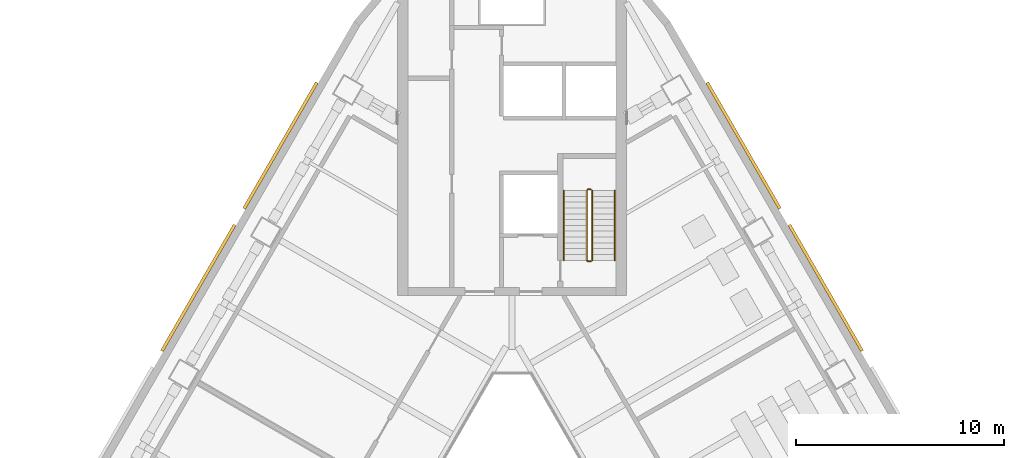
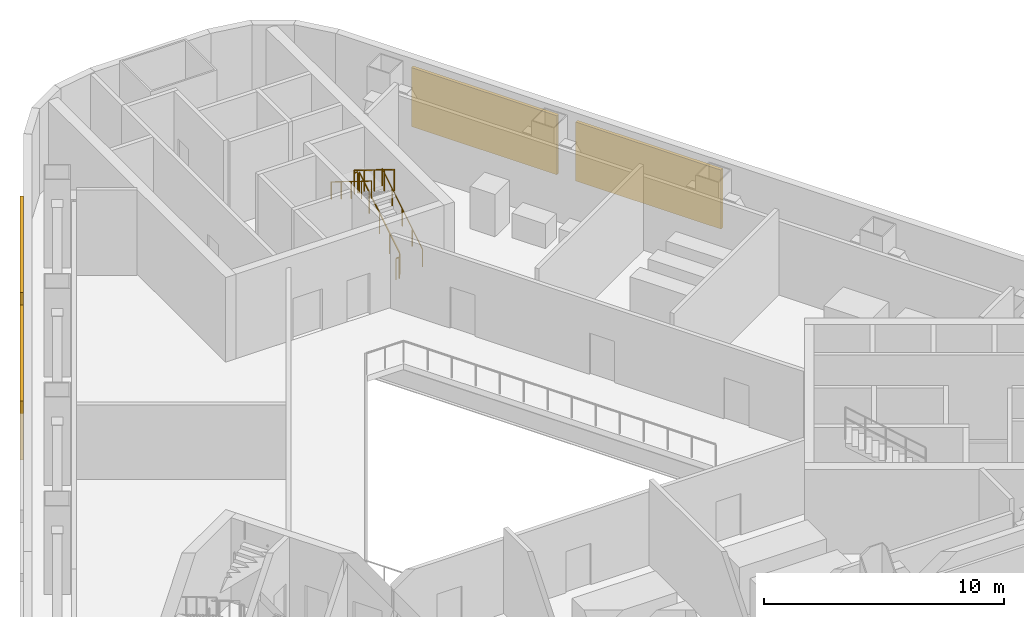
# One storey, part 13 of 14: 6 railings, 4 shading devices.
"""IFC4 building model written with IfcOpenShell, lengths in metres."""

from ifc_helpers import new_model, si_unit, direction, frame, origin, origin_2d, place, context, subcontext, project, spatial, rectangle, circle, extrude, material, type_object, element, save


model = new_model("IFC4")

# Units and contexts
model_context = context("Model", 3, precision=1e-05, world=origin(), true_north=direction((0.0, 1.0)))
body_context = subcontext(model_context, "Body", "Model", "MODEL_VIEW")
ifc_project = project(units=[si_unit("LENGTHUNIT", "METRE"), si_unit("AREAUNIT", "SQUARE_METRE"), si_unit("VOLUMEUNIT", "CUBIC_METRE"), si_unit("PLANEANGLEUNIT", "RADIAN"), si_unit("MASSUNIT", "GRAM", prefix="KILO")], contexts=[model_context])

# Site, building, storey
site_placement = place(None, origin())
site = spatial("IfcSite", under=ifc_project, at=site_placement, CompositionType="ELEMENT")
building_placement = place(site_placement, origin())
building = spatial("IfcBuilding", under=site, at=building_placement, Name="Apuvela Tower Hotel", CompositionType="ELEMENT")
storey_placement = place(building_placement, frame((0.0, 0.0, 42.0)))
storey = spatial("IfcBuildingStorey", under=building, at=storey_placement, Name="L07 Plant", CompositionType="ELEMENT", Elevation=42.0)

# Railings
ifc_material_1 = material(Name="Steel S275 balustrade", Category="steel")
railing_type_1 = type_object("IfcRailingType", Name="COR-GUARD-1100", PredefinedType="GUARDRAIL", material=ifc_material_1)
railing_1_placement = place(storey_placement, frame((3.85009765625, 14.60009765625, 0.173095703125)))
element("IfcRailing", 1, at=railing_1_placement, inside=storey, type_object=railing_type_1, Name="L07 Plant ST1 stair guard 1", PredefinedType="GUARDRAIL", context=body_context, shape_type="SweptSolid", body=[
    extrude(rectangle(XDim=0.048095703125, YDim=0.048095703125, at=origin_2d()), frame((0.0, 0.0, 1.076171875), z_axis=(0.0, 0.850606129759, 0.525803396734), x_axis=(-1.0, 0.0, 0.0)), (0.0, 0.0, 1.0), 3.949951171875),
    extrude(rectangle(XDim=0.0419921875, YDim=0.0419921875, at=origin_2d()), origin(), (0.0, 0.0, 1.0), 1.052001953125),
    extrude(rectangle(XDim=0.0419921875, YDim=0.0419921875, at=origin_2d()), frame((0.0, 0.83984375, 0.519287109375)), (0.0, 0.0, 1.0), 1.052001953125),
    extrude(rectangle(XDim=0.0419921875, YDim=0.0419921875, at=origin_2d()), frame((0.0, 1.679931640625, 1.03857421875)), (0.0, 0.0, 1.0), 1.052001953125),
    extrude(rectangle(XDim=0.0419921875, YDim=0.0419921875, at=origin_2d()), frame((0.0, 2.52001953125, 1.5576171875)), (0.0, 0.0, 1.0), 1.052001953125),
    extrude(rectangle(XDim=0.0419921875, YDim=0.0419921875, at=origin_2d()), frame((0.0, 3.35986328125, 2.076904296875)), (0.0, 0.0, 1.0), 1.052001953125),
])
railing_2_placement = place(storey_placement, frame((3.800048828125, 18.010009765625, 2.25)))
element("IfcRailing", 2, at=railing_2_placement, inside=storey, type_object=railing_type_1, Name="L07 Plant ST1 stair guard 2", PredefinedType="GUARDRAIL", context=body_context, shape_type="SweptSolid", body=[
    extrude(rectangle(XDim=0.048095703125, YDim=0.048095703125, at=origin_2d()), frame((0.0, 0.0, 1.076171875), z_axis=(-1.0, 0.0, 0.0), x_axis=(0.0, -1.0, 0.0)), (0.0, 0.0, 1.0), 0.150146484375),
    extrude(rectangle(XDim=0.0419921875, YDim=0.0419921875, at=origin_2d()), origin(), (0.0, 0.0, 1.0), 1.052001953125),
    extrude(rectangle(XDim=0.0419921875, YDim=0.0419921875, at=origin_2d()), frame((-0.150146484375, 0.0, 0.0)), (0.0, 0.0, 1.0), 1.052001953125),
])
railing_3_placement = place(storey_placement, frame((3.60009765625, 17.9599609375, 2.423095703125)))
element("IfcRailing", 3, at=railing_3_placement, inside=storey, type_object=railing_type_1, Name="L07 Plant ST1 stair guard 3", PredefinedType="GUARDRAIL", context=body_context, shape_type="SweptSolid", body=[
    extrude(rectangle(XDim=0.048095703125, YDim=0.048095703125, at=origin_2d()), frame((0.0, 0.0, 1.076171875), z_axis=(0.0, -0.850606129759, 0.525803396734), x_axis=(1.0, 0.0, 0.0)), (0.0, 0.0, 1.0), 3.949951171875),
    extrude(rectangle(XDim=0.0419921875, YDim=0.0419921875, at=origin_2d()), origin(), (0.0, 0.0, 1.0), 1.052001953125),
    extrude(rectangle(XDim=0.0419921875, YDim=0.0419921875, at=origin_2d()), frame((0.0, -0.83984375, 0.519287109375)), (0.0, 0.0, 1.0), 1.052001953125),
    extrude(rectangle(XDim=0.0419921875, YDim=0.0419921875, at=origin_2d()), frame((0.0, -1.679931640625, 1.03857421875)), (0.0, 0.0, 1.0), 1.052001953125),
    extrude(rectangle(XDim=0.0419921875, YDim=0.0419921875, at=origin_2d()), frame((0.0, -2.52001953125, 1.5576171875)), (0.0, 0.0, 1.0), 1.052001953125),
    extrude(rectangle(XDim=0.0419921875, YDim=0.0419921875, at=origin_2d()), frame((0.0, -3.35986328125, 2.076904296875)), (0.0, 0.0, 1.0), 1.052001953125),
])
railing_4_placement = place(storey_placement, frame((3.800048828125, 14.550048828125, 0.0)))
element("IfcRailing", 4, at=railing_4_placement, inside=storey, type_object=railing_type_1, Name="L07 Plant ST1 stair guard 4", PredefinedType="GUARDRAIL", context=body_context, shape_type="SweptSolid", body=[
    extrude(rectangle(XDim=0.048095703125, YDim=0.048095703125, at=origin_2d()), frame((0.0, 0.0, 1.076171875), z_axis=(-1.0, 0.0, 0.0), x_axis=(0.0, -1.0, 0.0)), (0.0, 0.0, 1.0), 0.150146484375),
    extrude(rectangle(XDim=0.0419921875, YDim=0.0419921875, at=origin_2d()), origin(), (0.0, 0.0, 1.0), 1.052001953125),
    extrude(rectangle(XDim=0.0419921875, YDim=0.0419921875, at=origin_2d()), frame((-0.150146484375, 0.0, 0.0)), (0.0, 0.0, 1.0), 1.052001953125),
])
ifc_material_2 = material(Name="Stainless steel 316 handrail", Category="steel")
railing_type_2 = type_object("IfcRailingType", Name="COR-HANDRAIL-900", PredefinedType="HANDRAIL", material=ifc_material_2)
railing_5_placement = place(storey_placement, frame((4.949951171875, 14.60009765625, 0.173095703125)))
element("IfcRailing", 5, at=railing_5_placement, inside=storey, type_object=railing_type_2, Name="L07 Plant ST1 stair handrail 1", PredefinedType="HANDRAIL", context=body_context, shape_type="SweptSolid", body=[
    extrude(circle(Radius=0.02392578125, at=origin_2d()), frame((0.0, 0.0, 0.8759765625), z_axis=(0.0, 0.850606129759, 0.525803396734), x_axis=(-1.0, 0.0, 0.0)), (0.0, 0.0, 1.0), 3.949951171875),
    extrude(rectangle(XDim=0.0419921875, YDim=0.0419921875, at=origin_2d()), origin(), (0.0, 0.0, 1.0), 0.851806640625),
    extrude(rectangle(XDim=0.0419921875, YDim=0.0419921875, at=origin_2d()), frame((0.0, 0.83984375, 0.519287109375)), (0.0, 0.0, 1.0), 0.851806640625),
    extrude(rectangle(XDim=0.0419921875, YDim=0.0419921875, at=origin_2d()), frame((0.0, 1.679931640625, 1.03857421875)), (0.0, 0.0, 1.0), 0.851806640625),
    extrude(rectangle(XDim=0.0419921875, YDim=0.0419921875, at=origin_2d()), frame((0.0, 2.52001953125, 1.5576171875)), (0.0, 0.0, 1.0), 0.851806640625),
    extrude(rectangle(XDim=0.0419921875, YDim=0.0419921875, at=origin_2d()), frame((0.0, 3.35986328125, 2.076904296875)), (0.0, 0.0, 1.0), 0.851806640625),
])
railing_6_placement = place(storey_placement, frame((2.5, 17.9599609375, 2.423095703125)))
element("IfcRailing", 6, at=railing_6_placement, inside=storey, type_object=railing_type_2, Name="L07 Plant ST1 stair handrail 2", PredefinedType="HANDRAIL", context=body_context, shape_type="SweptSolid", body=[
    extrude(circle(Radius=0.02392578125, at=origin_2d()), frame((0.0, 0.0, 0.8759765625), z_axis=(0.0, -0.850606129759, 0.525803396734), x_axis=(1.0, 0.0, 0.0)), (0.0, 0.0, 1.0), 3.949951171875),
    extrude(rectangle(XDim=0.0419921875, YDim=0.0419921875, at=origin_2d()), origin(), (0.0, 0.0, 1.0), 0.851806640625),
    extrude(rectangle(XDim=0.0419921875, YDim=0.0419921875, at=origin_2d()), frame((0.0, -0.83984375, 0.519287109375)), (0.0, 0.0, 1.0), 0.851806640625),
    extrude(rectangle(XDim=0.0419921875, YDim=0.0419921875, at=origin_2d()), frame((0.0, -1.679931640625, 1.03857421875)), (0.0, 0.0, 1.0), 0.851806640625),
    extrude(rectangle(XDim=0.0419921875, YDim=0.0419921875, at=origin_2d()), frame((0.0, -2.52001953125, 1.5576171875)), (0.0, 0.0, 1.0), 0.851806640625),
    extrude(rectangle(XDim=0.0419921875, YDim=0.0419921875, at=origin_2d()), frame((0.0, -3.35986328125, 2.076904296875)), (0.0, 0.0, 1.0), 0.851806640625),
])

# Shading devices
ifc_material_3 = material(Name="Aluminium 6063-T6, black anodised louvre blades", Category="aluminium")
shading_device_type = type_object("IfcShadingDeviceType", Name="ENV-LOUVRE-SCREEN", PredefinedType="USERDEFINED", material=ifc_material_3)
for number, where, z_axis, x_axis, name in (
    (7, (15.090087890625, 13.273193359375, 0.60009765625), (0.0, 0.0, 1.0), (-0.5, 0.866025403784, 0.0), "Plant louvre NE7"),
    (8, (11.14013671875, 20.114990234375, 0.60009765625), (0.0, 0.0, 1.0), (-0.5, 0.866025403784, 0.0), "Plant louvre NE8"),
    (9, (-11.139892578125, 20.114990234375, 0.60009765625), (0.0, 0.0, 1.0), (-0.5, -0.866025403784, 0.0), "Plant louvre NW9"),
    (10, (-15.090087890625, 13.273193359375, 0.60009765625), (0.0, 0.0, 1.0), (-0.5, -0.866025403784, 0.0), "Plant louvre NW10"),
):
    element("IfcShadingDevice", number, at=place(storey_placement, frame(where, z_axis=z_axis, x_axis=x_axis)), inside=storey, type_object=shading_device_type, Name=name, ObjectType="LOUVRE", PredefinedType="USERDEFINED", context=body_context, shape_type="SweptSolid", body=[
        extrude(rectangle(XDim=7.0, YDim=0.14990234375, at=origin_2d()), origin(), (0.0, 0.0, 1.0), 3.0),
    ])

save(model, "model.ifc")
